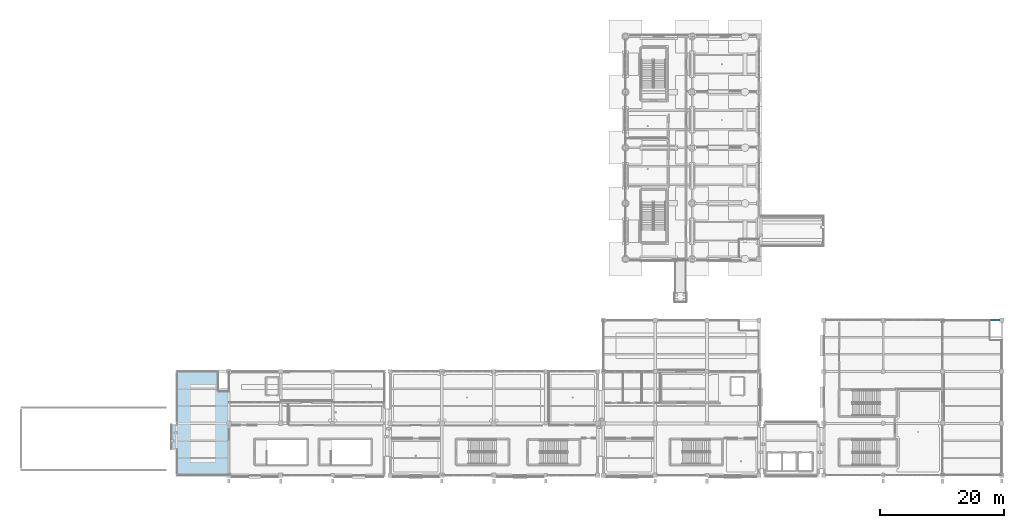
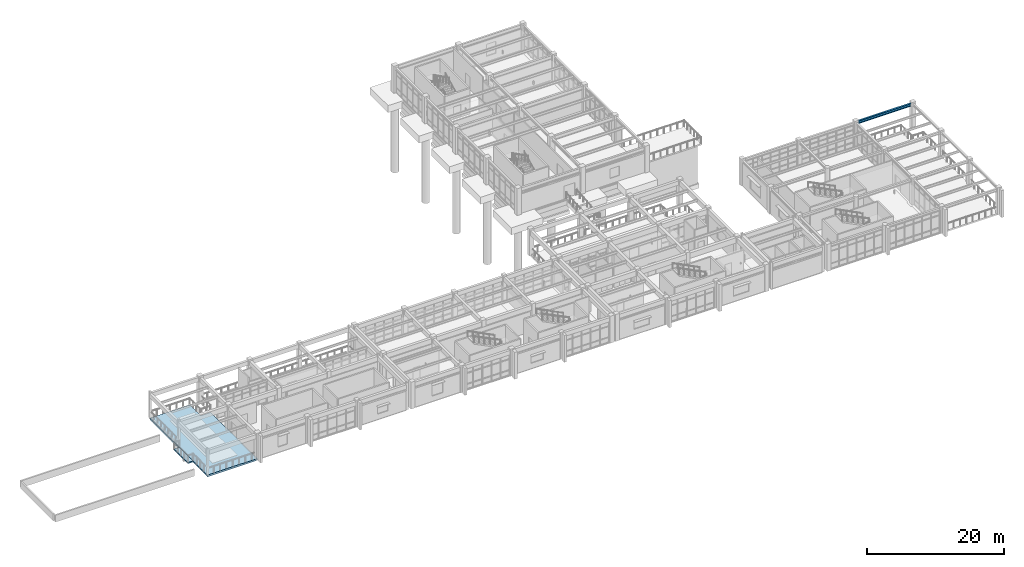
# One storey, part 67 of 98: 2 slabs, 1 beam.
"""IFC4 building model written with IfcOpenShell, lengths in metres."""

from ifc_helpers import new_model, si_unit, direction, frame, origin, origin_2d, place, context, subcontext, project, spatial, polyline, i_section, outline, extrude, material, layer, layer_set, material_profile, profile_set, type_object, element, save


model = new_model("IFC4")

# Units and contexts
model_context = context("Model", 3, precision=1e-05, world=origin(), true_north=direction((0.0, 1.0)))
body_context = subcontext(model_context, "Body", "Model", "MODEL_VIEW")
ifc_project = project(units=[si_unit("LENGTHUNIT", "METRE"), si_unit("AREAUNIT", "SQUARE_METRE"), si_unit("VOLUMEUNIT", "CUBIC_METRE"), si_unit("PLANEANGLEUNIT", "RADIAN"), si_unit("MASSUNIT", "GRAM", prefix="KILO")], contexts=[model_context])

# Site, building, storey
site_placement = place(None, origin())
site = spatial("IfcSite", under=ifc_project, at=site_placement, CompositionType="ELEMENT")
building_placement = place(site_placement, origin())
building = spatial("IfcBuilding", under=site, at=building_placement, Name="Canglan Escarpment Cableway Terminal", CompositionType="ELEMENT")
storey_placement = place(building_placement, frame((0.0, 0.0, 9.60009765625)))
storey = spatial("IfcBuildingStorey", under=building, at=storey_placement, Name="L02", CompositionType="ELEMENT", Elevation=9.60009765625)

# Beam
ifc_material_1 = material(Name="Steel Q355B", Category="steel")
ifc_material_profile = material_profile(ifc_material_1, i_section(OverallWidth=0.300048828125, OverallDepth=0.488037109375, WebThickness=0.010986328125, FlangeThickness=0.01806640625, FilletRadius=0.02587890625, at=origin_2d()), Name="HM 488x300x11x18")
ifc_profile_set = profile_set([ifc_material_profile], Name="Steel Q355B")
beam_type = type_object("IfcBeamType", Name="BM-HM488", PredefinedType="BEAM", material=ifc_profile_set)
beam_placement = place(storey_placement, frame((166.75, 33.10009765625, 4.27587890625), z_axis=(1.0, 0.0, 0.0), x_axis=(0.0, 1.0, 0.0)))
element("IfcBeam", 1, at=beam_placement, inside=storey, type_object=beam_type, Name="Primary structural girder B-09", PredefinedType="BEAM", context=body_context, shape_type="SweptSolid", body=[
    extrude(i_section(OverallWidth=0.300048828125, OverallDepth=0.488037109375, WebThickness=0.010986328125, FlangeThickness=0.01806640625, FilletRadius=0.02587890625, at=origin_2d()), origin(), (0.0, 0.0, 1.0), 8.89990234375),
])

# Slabs
ifc_material_2 = material(Name="Concrete C40", Category="concrete")
ifc_layer_1 = layer(ifc_material_2, 0.320068359375, Name="Concrete C40")
ifc_layer_set_1 = layer_set([ifc_layer_1], Name="Concrete C40")
slab_type_1 = type_object("IfcSlabType", Name="SLB-GARDEN-320", PredefinedType="FLOOR", material=ifc_layer_set_1)
slab_1_placement = place(storey_placement, frame((0.0, 0.0, -0.320068359375)))
element("IfcSlab", 2, at=slab_1_placement, inside=storey, type_object=slab_type_1, Name="Planted roof garden terrace SG-01", PredefinedType="FLOOR", context=body_context, shape_type="SweptSolid", body=[
    extrude(outline(polyline([(42.5, 8.0), (50.89990234375, 8.0), (50.89990234375, 21.60009765625), (49.219970703125, 21.60009765625), (49.219970703125, 24.800048828125), (42.5, 24.800048828125), (42.5, 8.0)])), origin(), (0.0, 0.0, 1.0), 0.320068359375),
])
ifc_layer_2 = layer(ifc_material_2, 0.219970703125, Name="Concrete C40")
ifc_layer_set_2 = layer_set([ifc_layer_2], Name="Concrete C40")
slab_type_2 = type_object("IfcSlabType", Name="SLB-LINK-220", PredefinedType="FLOOR", material=ifc_layer_set_2)
slab_2_placement = place(storey_placement, frame((0.0, 0.0, -0.22021484375)))
element("IfcSlab", 3, at=slab_2_placement, inside=storey, type_object=slab_type_2, Name="Movement-joint concourse link slab MJ-S1", PredefinedType="FLOOR", context=body_context, shape_type="SweptSolid", body=[
    extrude(outline(polyline([(41.60009765625, 12.199951171875), (41.60009765625, 16.199951171875), (42.4951171875, 16.199951171875), (42.4951171875, 12.199951171875), (41.60009765625, 12.199951171875)])), origin(), (0.0, 0.0, 1.0), 0.22021484375),
])

save(model, "model.ifc")
